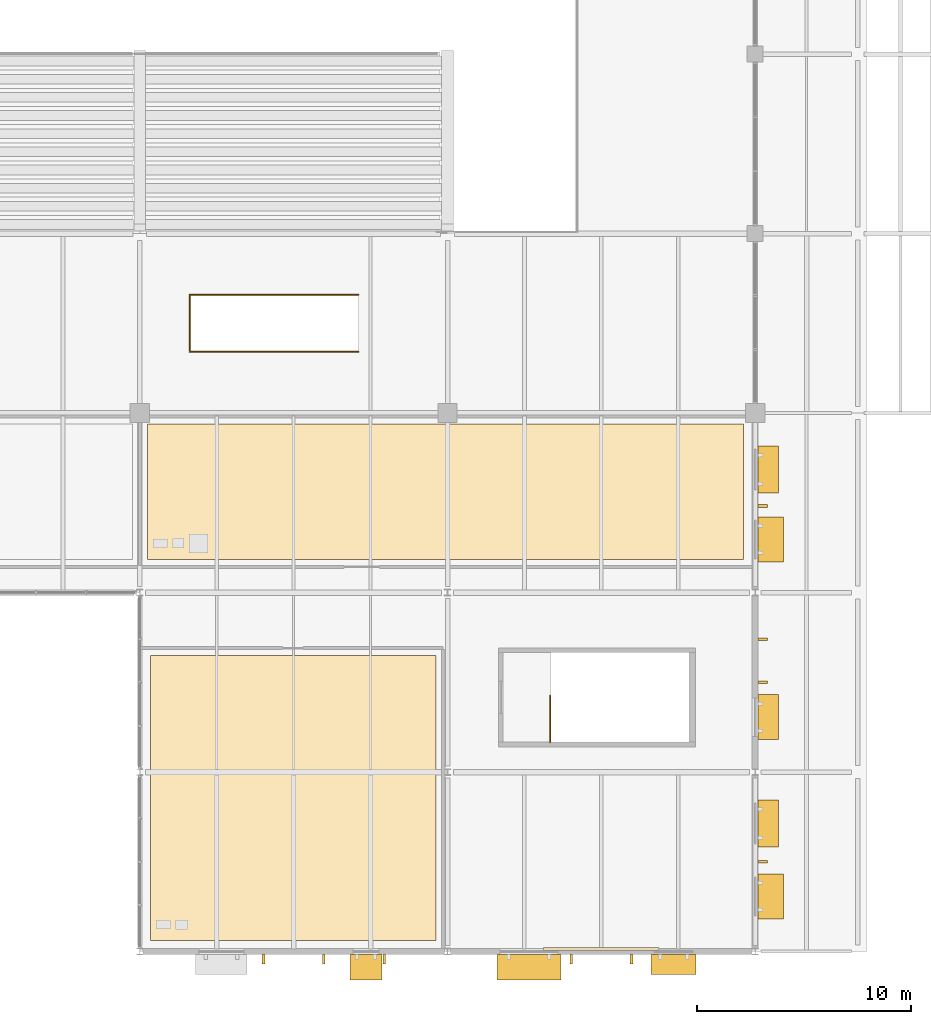
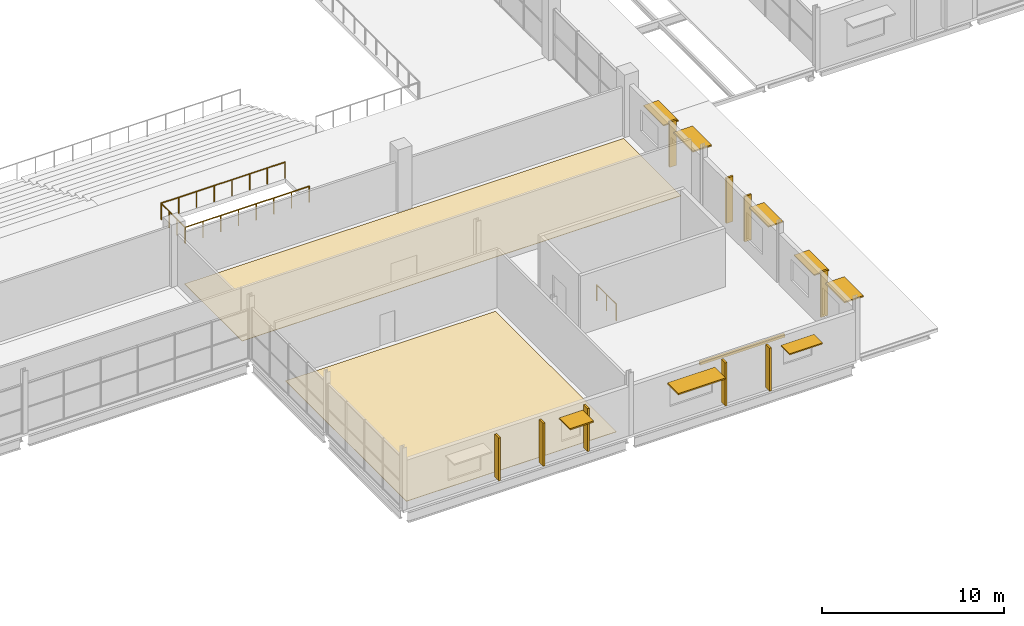
# One storey, part 151 of 161: 18 shading devices, 4 railings, 2 coverings.
"""IFC4 building model written with IfcOpenShell, lengths in metres."""

from ifc_helpers import new_model, si_unit, direction, frame, origin, origin_2d, place, context, subcontext, project, spatial, polyline, rectangle, circle, outline, extrude, material, layer, layer_set, type_object, element, save


model = new_model("IFC4")

# Units and contexts
model_context = context("Model", 3, precision=1e-05, world=origin(), true_north=direction((0.0, 1.0)))
body_context = subcontext(model_context, "Body", "Model", "MODEL_VIEW")
ifc_project = project(units=[si_unit("LENGTHUNIT", "METRE"), si_unit("AREAUNIT", "SQUARE_METRE"), si_unit("VOLUMEUNIT", "CUBIC_METRE"), si_unit("PLANEANGLEUNIT", "RADIAN"), si_unit("MASSUNIT", "GRAM", prefix="KILO"), si_unit("THERMODYNAMICTEMPERATUREUNIT", "KELVIN")], contexts=[model_context])

# Site, building, storey
site_placement = place(None, origin())
site = spatial("IfcSite", under=ifc_project, at=site_placement, CompositionType="ELEMENT")
building_placement = place(site_placement, origin())
building = spatial("IfcBuilding", under=site, at=building_placement, Name="Nduvali Passage Aquatics Centre", CompositionType="ELEMENT")
storey_placement = place(building_placement, frame((0.0, 0.0, 4.800048828125)))
storey = spatial("IfcBuildingStorey", under=building, at=storey_placement, Name="L01", CompositionType="ELEMENT", Elevation=4.800048828125)

# Shading devices
ifc_material_1 = material(Name="Glulam GL28h", Category="wood")
shading_device_type_1 = type_object("IfcShadingDeviceType", Name="ENV-SHD-FIN1", PredefinedType="USERDEFINED", material=ifc_material_1)
for number, where, z_axis, x_axis, name in (
    (1, (102.989990234375, -0.35498046875, 0.199951171875), (0.0, 0.0, 1.0), (1.0, 0.0, 0.0), "L01 Vertical Glulam Facade Fin 0034"),
    (2, (105.81005859375, -0.35498046875, 0.199951171875), (0.0, 0.0, 1.0), (1.0, 0.0, 0.0), "L01 Vertical Glulam Facade Fin 0035"),
    (3, (108.6298828125, -0.35498046875, 0.199951171875), (0.0, 0.0, 1.0), (1.0, 0.0, 0.0), "L01 Vertical Glulam Facade Fin 0036"),
    (4, (117.389892578125, -0.35498046875, 0.199951171875), (0.0, 0.0, 1.0), (1.0, 0.0, 0.0), "L01 Vertical Glulam Facade Fin 0039"),
    (5, (120.2099609375, -0.35498046875, 0.199951171875), (0.0, 0.0, 1.0), (1.0, 0.0, 0.0), "L01 Vertical Glulam Facade Fin 0040"),
):
    element("IfcShadingDevice", number, at=place(storey_placement, frame(where, z_axis=z_axis, x_axis=x_axis)), inside=storey, type_object=shading_device_type_1, Name=name, ObjectType="VERTICAL FIN", PredefinedType="USERDEFINED", context=body_context, shape_type="SweptSolid", body=[
        extrude(rectangle(XDim=0.1201171875, YDim=0.43994140625, at=origin_2d()), origin(), (0.0, 0.0, 1.0), 2.892578125),
    ])
for number, where, z_axis, x_axis, name in (
    (6, (126.35498046875, 4.205078125, 0.2001953125), (0.0, 0.0, 1.0), (0.0, 1.0, 0.0), "L01 Vertical Glulam Facade Fin 0045"),
    (7, (126.35498046875, 12.594970703125, 0.2001953125), (0.0, 0.0, 1.0), (0.0, 1.0, 0.0), "L01 Vertical Glulam Facade Fin 0049"),
    (8, (126.35498046875, 14.62255859375, 0.2001953125), (0.0, 0.0, 1.0), (0.0, 1.0, 0.0), "L01 Vertical Glulam Facade Fin 0050"),
    (9, (126.35498046875, 20.85009765625, 0.2001953125), (0.0, 0.0, 1.0), (0.0, 1.0, 0.0), "L01 Vertical Glulam Facade Fin 0055"),
):
    element("IfcShadingDevice", number, at=place(storey_placement, frame(where, z_axis=z_axis, x_axis=x_axis)), inside=storey, type_object=shading_device_type_1, Name=name, ObjectType="VERTICAL FIN", PredefinedType="USERDEFINED", context=body_context, shape_type="SweptSolid", body=[
        extrude(rectangle(XDim=0.1201171875, YDim=0.43994140625, at=origin_2d()), origin(), (0.0, 0.0, 1.0), 3.036376953125),
    ])
ifc_material_2 = material(Name="Coral-stone masonry blockwork", Category="masonry")
ifc_layer_1 = layer(ifc_material_2, 0.199951171875, Name="Coral-stone masonry blockwork")
ifc_layer_set_1 = layer_set([ifc_layer_1], Name="Coral-stone masonry blockwork")
shading_device_type_2 = type_object("IfcShadingDeviceType", Name="ENV-SHD-JAL1", PredefinedType="JALOUSIE", material=ifc_layer_set_1)
shading_device_1_placement = place(storey_placement, frame((118.800048828125, 0.1201171875, 2.98974609375), z_axis=(0.0, 0.0, 1.0), x_axis=(1.0, 0.0, 0.0)))
element("IfcShadingDevice", 10, at=shading_device_1_placement, inside=storey, type_object=shading_device_type_2, Name="L01 Monsoon Jalousie Grille 06", PredefinedType="JALOUSIE", context=body_context, shape_type="SweptSolid", body=[
    extrude(rectangle(XDim=5.39990234375, YDim=0.139892578125, at=origin_2d()), origin(), (0.0, 0.0, 1.0), 0.199951171875),
])
ifc_material_3 = material(Name="Aluminium EN AW-6063 T6", Category="aluminium")
ifc_layer_2 = layer(ifc_material_3, 0.090087890625, Name="Aluminium EN AW-6063 T6")
ifc_layer_set_2 = layer_set([ifc_layer_2], Name="Aluminium EN AW-6063 T6")
shading_device_type_3 = type_object("IfcShadingDeviceType", Name="ENV-SHD-SUN1", PredefinedType="AWNING", material=ifc_layer_set_2)
shading_device_2_placement = place(storey_placement, frame((107.783935546875, -0.72998046875, 2.65478515625), z_axis=(0.0, 0.0, 1.0), x_axis=(1.0, 0.0, 0.0)))
element("IfcShadingDevice", 11, at=shading_device_2_placement, inside=storey, type_object=shading_device_type_3, Name="L01 Horizontal Monsoon Sunshade 0033", PredefinedType="AWNING", context=body_context, shape_type="SweptSolid", body=[
    extrude(rectangle(XDim=1.5, YDim=1.199951171875, at=origin_2d()), origin(), (0.0, 0.0, 1.0), 0.090087890625),
])
shading_device_3_placement = place(storey_placement, frame((115.416015625, -0.72998046875, 2.60498046875), z_axis=(0.0, 0.0, 1.0), x_axis=(1.0, 0.0, 0.0)))
element("IfcShadingDevice", 12, at=shading_device_3_placement, inside=storey, type_object=shading_device_type_3, Name="L01 Horizontal Monsoon Sunshade 0037", PredefinedType="AWNING", context=body_context, shape_type="SweptSolid", body=[
    extrude(rectangle(XDim=3.0, YDim=1.199951171875, at=origin_2d()), origin(), (0.0, 0.0, 1.0), 0.090087890625),
])
for number, where, z_axis, x_axis, name in (
    (13, (126.72998046875, 2.5830078125, 2.7548828125), (0.0, 0.0, 1.0), (0.0, 1.0, 0.0), "L01 Horizontal Monsoon Sunshade 0043"),
    (14, (126.72998046875, 19.2900390625, 2.7548828125), (0.0, 0.0, 1.0), (0.0, 1.0, 0.0), "L01 Horizontal Monsoon Sunshade 0053"),
):
    element("IfcShadingDevice", number, at=place(storey_placement, frame(where, z_axis=z_axis, x_axis=x_axis)), inside=storey, type_object=shading_device_type_3, Name=name, PredefinedType="AWNING", context=body_context, shape_type="SweptSolid", body=[
        extrude(rectangle(XDim=2.10009765625, YDim=1.199951171875, at=origin_2d()), origin(), (0.0, 0.0, 1.0), 0.090087890625),
    ])
ifc_layer_3 = layer(ifc_material_3, 0.080078125, Name="Aluminium EN AW-6063 T6")
ifc_layer_set_3 = layer_set([ifc_layer_3], Name="Aluminium EN AW-6063 T6")
shading_device_type_4 = type_object("IfcShadingDeviceType", Name="ENV-SHD-SUN2", PredefinedType="AWNING", material=ifc_layer_set_3)
shading_device_4_placement = place(storey_placement, frame((122.18408203125, -0.60498046875, 2.60986328125), z_axis=(0.0, 0.0, 1.0), x_axis=(1.0, 0.0, 0.0)))
element("IfcShadingDevice", 15, at=shading_device_4_placement, inside=storey, type_object=shading_device_type_4, Name="L01 Horizontal Monsoon Sunshade 0038", PredefinedType="AWNING", context=body_context, shape_type="SweptSolid", body=[
    extrude(rectangle(XDim=2.10009765625, YDim=0.949951171875, at=origin_2d()), origin(), (0.0, 0.0, 1.0), 0.080078125),
])
shading_device_5_placement = place(storey_placement, frame((126.60498046875, 5.989013671875, 2.559814453125), z_axis=(0.0, 0.0, 1.0), x_axis=(0.0, 1.0, 0.0)))
element("IfcShadingDevice", 16, at=shading_device_5_placement, inside=storey, type_object=shading_device_type_4, Name="L01 Horizontal Monsoon Sunshade 0044", PredefinedType="AWNING", context=body_context, shape_type="SweptSolid", body=[
    extrude(rectangle(XDim=2.199951171875, YDim=0.949951171875, at=origin_2d()), origin(), (0.0, 0.0, 1.0), 0.080078125),
])
shading_device_6_placement = place(storey_placement, frame((126.60498046875, 10.972900390625, 2.760009765625), z_axis=(0.0, 0.0, 1.0), x_axis=(0.0, 1.0, 0.0)))
element("IfcShadingDevice", 17, at=shading_device_6_placement, inside=storey, type_object=shading_device_type_4, Name="L01 Horizontal Monsoon Sunshade 0048", PredefinedType="AWNING", context=body_context, shape_type="SweptSolid", body=[
    extrude(rectangle(XDim=2.10009765625, YDim=0.949951171875, at=origin_2d()), origin(), (0.0, 0.0, 1.0), 0.080078125),
])
shading_device_7_placement = place(storey_placement, frame((126.60498046875, 22.56591796875, 2.559814453125), z_axis=(0.0, 0.0, 1.0), x_axis=(0.0, 1.0, 0.0)))
element("IfcShadingDevice", 18, at=shading_device_7_placement, inside=storey, type_object=shading_device_type_4, Name="L01 Horizontal Monsoon Sunshade 0054", PredefinedType="AWNING", context=body_context, shape_type="SweptSolid", body=[
    extrude(rectangle(XDim=2.199951171875, YDim=0.949951171875, at=origin_2d()), origin(), (0.0, 0.0, 1.0), 0.080078125),
])

# Coverings
ifc_material_4 = material(Name="Anti-slip ceramic pool deck tile")
ifc_layer_4 = layer(ifc_material_4, 0.02490234375, Name="Anti-slip ceramic pool deck tile")
ifc_layer_set_4 = layer_set([ifc_layer_4], Name="Anti-slip ceramic pool deck tile")
covering_type = type_object("IfcCoveringType", Name="INT-COV-TILE", PredefinedType="FLOORING", material=ifc_layer_set_4)
covering_1_placement = place(storey_placement, origin())
element("IfcCovering", 19, at=covering_1_placement, inside=storey, type_object=covering_type, Name="L01 Referees and Technical Officials Changing Suite Floor Finish", PredefinedType="FLOORING", context=body_context, shape_type="SweptSolid", body=[
    extrude(outline(polyline([(97.550048828125, 18.35009765625), (125.449951171875, 18.35009765625), (125.449951171875, 24.68994140625), (97.550048828125, 24.68994140625), (97.550048828125, 18.35009765625)])), origin(), (0.0, 0.0, 1.0), 0.02490234375),
])
covering_2_placement = place(storey_placement, origin())
element("IfcCovering", 20, at=covering_2_placement, inside=storey, type_object=covering_type, Name="L01 South Spectator Public Toilets East Floor Finish", PredefinedType="FLOORING", context=body_context, shape_type="SweptSolid", body=[
    extrude(outline(polyline([(97.699951171875, 0.510009765625), (111.050048828125, 0.510009765625), (111.050048828125, 13.85009765625), (97.699951171875, 13.85009765625), (97.699951171875, 0.510009765625)])), origin(), (0.0, 0.0, 1.0), 0.02490234375),
])

# Railings
ifc_material_5 = material(Name="Stainless steel balustrade", Category="steel")
railing_type = type_object("IfcRailingType", Name="INT-RLG-GRD110", PredefinedType="GUARDRAIL", material=ifc_material_5)
railing_1_placement = place(storey_placement, frame((116.39990234375, 9.800048828125, 0.0)))
element("IfcRailing", 21, at=railing_1_placement, inside=storey, type_object=railing_type, Name="L01 ST6 top well guard 1", PredefinedType="GUARDRAIL", context=body_context, shape_type="SweptSolid", body=[
    extrude(circle(Radius=0.02392578125, at=origin_2d()), frame((0.0, 0.0, 1.076171875), z_axis=(0.0, 1.0, 0.0), x_axis=(-1.0, 0.0, 0.0)), (0.0, 0.0, 1.0), 2.169921875),
    extrude(circle(Radius=0.02099609375, at=origin_2d()), origin(), (0.0, 0.0, 1.0), 1.052001953125),
    extrude(circle(Radius=0.02099609375, at=origin_2d()), frame((0.0, 1.0849609375, 0.0)), (0.0, 0.0, 1.0), 1.052001953125),
    extrude(circle(Radius=0.02099609375, at=origin_2d()), frame((0.0, 2.169921875, 0.0)), (0.0, 0.0, 1.0), 1.052001953125),
])
railing_2_placement = place(storey_placement, frame((99.5400390625, 28.125, 0.0)))
element("IfcRailing", 22, at=railing_2_placement, inside=storey, type_object=railing_type, Name="L01 Vomitory VST3 Well West Guardrail", PredefinedType="GUARDRAIL", context=body_context, shape_type="SweptSolid", body=[
    extrude(circle(Radius=0.02392578125, at=origin_2d()), frame((0.0, 0.0, 1.076171875), z_axis=(0.0, 1.0, 0.0), x_axis=(-1.0, 0.0, 0.0)), (0.0, 0.0, 1.0), 2.550048828125),
    extrude(circle(Radius=0.02099609375, at=origin_2d()), origin(), (0.0, 0.0, 1.0), 1.052001953125),
    extrude(circle(Radius=0.02099609375, at=origin_2d()), frame((0.0, 0.85009765625, 0.0)), (0.0, 0.0, 1.0), 1.052001953125),
    extrude(circle(Radius=0.02099609375, at=origin_2d()), frame((0.0, 1.699951171875, 0.0)), (0.0, 0.0, 1.0), 1.052001953125),
    extrude(circle(Radius=0.02099609375, at=origin_2d()), frame((0.0, 2.550048828125, 0.0)), (0.0, 0.0, 1.0), 1.052001953125),
])
for number, where, name in (
    (23, (99.5400390625, 28.06494140625, 0.0), "L01 Vomitory VST3 Well S Guardrail"),
    (24, (99.5400390625, 30.735107421875, 0.0), "L01 Vomitory VST3 Well N Guardrail"),
):
    element("IfcRailing", number, at=place(storey_placement, frame(where)), inside=storey, type_object=railing_type, Name=name, PredefinedType="GUARDRAIL", context=body_context, shape_type="SweptSolid", body=[
        extrude(circle(Radius=0.02392578125, at=origin_2d()), frame((0.0, 0.0, 1.076171875), z_axis=(1.0, 0.0, 0.0), x_axis=(0.0, 1.0, 0.0)), (0.0, 0.0, 1.0), 7.889892578125),
        extrude(circle(Radius=0.02099609375, at=origin_2d()), origin(), (0.0, 0.0, 1.0), 1.052001953125),
        extrude(circle(Radius=0.02099609375, at=origin_2d()), frame((1.127197265625, 0.0, 0.0)), (0.0, 0.0, 1.0), 1.052001953125),
        extrude(circle(Radius=0.02099609375, at=origin_2d()), frame((2.254150390625, 0.0, 0.0)), (0.0, 0.0, 1.0), 1.052001953125),
        extrude(circle(Radius=0.02099609375, at=origin_2d()), frame((3.38134765625, 0.0, 0.0)), (0.0, 0.0, 1.0), 1.052001953125),
        extrude(circle(Radius=0.02099609375, at=origin_2d()), frame((4.508544921875, 0.0, 0.0)), (0.0, 0.0, 1.0), 1.052001953125),
        extrude(circle(Radius=0.02099609375, at=origin_2d()), frame((5.6357421875, 0.0, 0.0)), (0.0, 0.0, 1.0), 1.052001953125),
        extrude(circle(Radius=0.02099609375, at=origin_2d()), frame((6.7626953125, 0.0, 0.0)), (0.0, 0.0, 1.0), 1.052001953125),
        extrude(circle(Radius=0.02099609375, at=origin_2d()), frame((7.889892578125, 0.0, 0.0)), (0.0, 0.0, 1.0), 1.052001953125),
    ])

save(model, "model.ifc")
